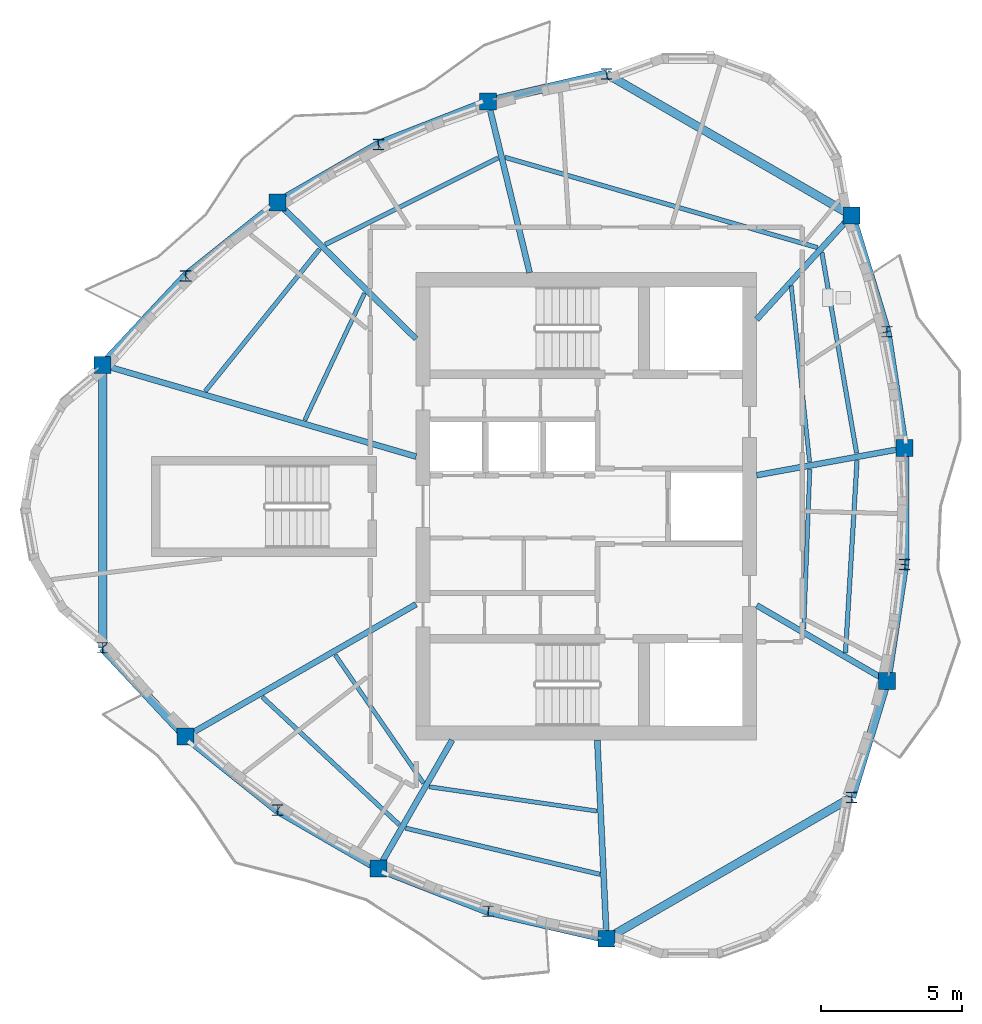
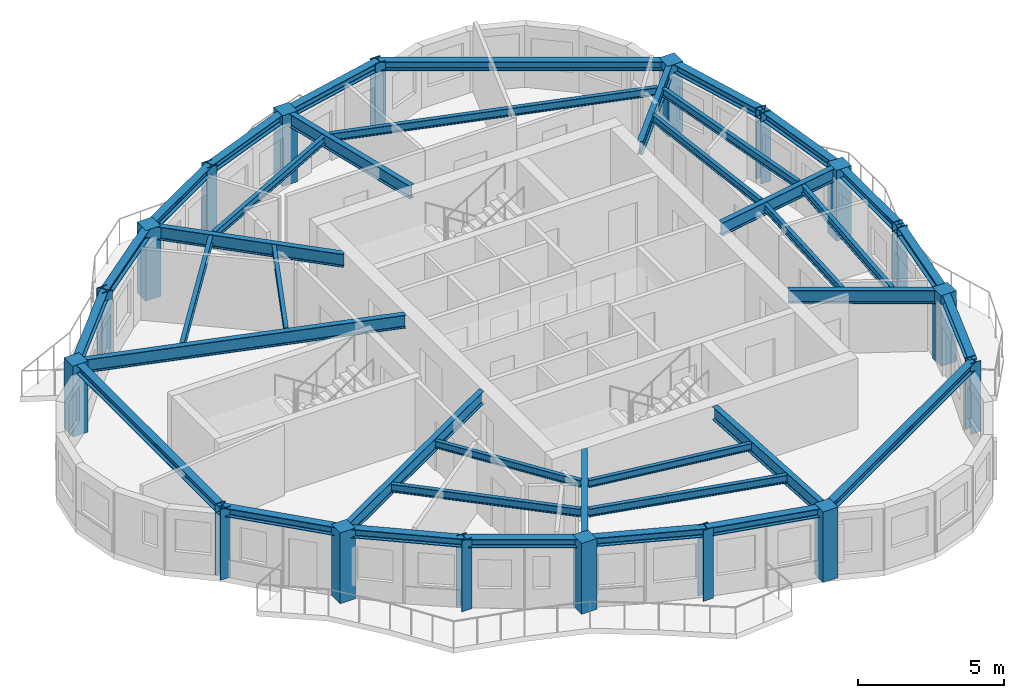
# One storey, part 1 of 11: 39 beams, 18 columns.
"""IFC4 building model written with IfcOpenShell, lengths in metres."""

from ifc_helpers import new_model, si_unit, direction, frame, origin, origin_2d, place, context, subcontext, project, spatial, rectangle, i_section, extrude, source, transform, mapped, material, material_profile, profile_set, type_object, element, save


model = new_model("IFC4")

# Units and contexts
model_context = context("Model", 3, precision=1e-05, world=origin(), true_north=direction((0.0, 1.0)))
body_context = subcontext(model_context, "Body", "Model", "MODEL_VIEW")
ifc_project = project(units=[si_unit("LENGTHUNIT", "METRE"), si_unit("AREAUNIT", "SQUARE_METRE"), si_unit("VOLUMEUNIT", "CUBIC_METRE"), si_unit("PLANEANGLEUNIT", "RADIAN"), si_unit("MASSUNIT", "GRAM", prefix="KILO")], contexts=[model_context])

# Site, building, storey
site_placement = place(None, origin())
site = spatial("IfcSite", under=ifc_project, at=site_placement, CompositionType="ELEMENT")
building_placement = place(site_placement, origin())
building = spatial("IfcBuilding", under=site, at=building_placement, Name="Qafzar Sky-Pleat Residences", CompositionType="ELEMENT")
storey_placement = place(building_placement, frame((0.0, 0.0, 243.60009765625)))
storey = spatial("IfcBuildingStorey", under=building, at=storey_placement, Name="L73", CompositionType="ELEMENT", Elevation=243.60009765625)

# Columns
ifc_material_1 = material(Name="Concrete C50/60", Category="concrete")
ifc_material_profile_1 = material_profile(ifc_material_1, rectangle(XDim=0.60009765625, YDim=0.60009765625, at=origin_2d()), Name="RC 600x600")
ifc_profile_set_1 = profile_set([ifc_material_profile_1], Name="Concrete C50/60")
column_type_1 = type_object("IfcColumnType", Name="COL-RC-600", PredefinedType="COLUMN", material=ifc_profile_set_1)
shared_shape_1 = source(origin(), body_context, "Body", "SweptSolid", [
    extrude(rectangle(XDim=0.60009765625, YDim=0.60009765625, at=origin_2d()), origin(), (0.0, 0.0, 1.0), 2.9599609375),
])
for number, where, z_axis, x_axis, name in (
    (1, (13.1650390625, 31.02294921875, 0.0), (0.0, 0.0, 1.0), (1.0, 0.0, 0.0), "L73 Perimeter Mega Column 1"),
    (2, (16.1171875, 17.8212890625, 0.0), (0.0, 0.0, 1.0), (1.0, 0.0, 0.0), "L73 Perimeter Mega Column 3"),
    (3, (22.9638671875, 13.142578125, 0.0), (0.0, 0.0, 1.0), (1.0, 0.0, 0.0), "L73 Perimeter Mega Column 5"),
    (4, (31.0673828125, 10.64111328125, 0.0), (0.0, 0.0, 1.0), (1.0, 0.0, 0.0), "L73 Perimeter Mega Column 7"),
    (5, (41.0244140625, 19.79833984375, 0.0), (0.0, 0.0, 1.0), (1.0, 0.0, 0.0), "L73 Perimeter Mega Column 9"),
    (6, (41.65283203125, 28.067138671875, 0.0), (0.0, 0.0, 1.0), (1.0, 0.0, 0.0), "L73 Perimeter Mega Column 11"),
    (7, (39.767578125, 36.3359375, 0.0), (0.0, 0.0, 1.0), (1.0, 0.0, 0.0), "L73 Perimeter Mega Column 13"),
    (8, (26.858642578125, 40.380126953125, 0.0), (0.0, 0.0, 1.0), (1.0, 0.0, 0.0), "L73 Perimeter Mega Column 15"),
    (9, (19.38330078125, 36.7900390625, 0.0), (0.0, 0.0, 1.0), (1.0, 0.0, 0.0), "L73 Perimeter Mega Column 17"),
):
    element("IfcColumn", number, at=place(storey_placement, frame(where, z_axis=z_axis, x_axis=x_axis)), inside=storey, type_object=column_type_1, Name=name, PredefinedType="COLUMN", context=body_context, shape_type="MappedRepresentation", body=[
        mapped(shared_shape_1, transform((0.0, 0.0, 0.0), x_axis=(1.0, 0.0, 0.0), y_axis=(0.0, 1.0, 0.0), z_axis=(0.0, 0.0, 1.0), scale=1.0)),
    ])
ifc_material_2 = material(Name="Steel S355", Category="steel")
ifc_material_profile_2 = material_profile(ifc_material_2, i_section(OverallWidth=0.39794921875, OverallDepth=0.386962890625, WebThickness=0.01904296875, FlangeThickness=0.030029296875, FilletRadius=0.014892578125, at=origin_2d()), Name="HD 400x262")
ifc_profile_set_2 = profile_set([ifc_material_profile_2], Name="Steel S355")
column_type_2 = type_object("IfcColumnType", Name="COL-STL-HD262", PredefinedType="PILASTER", material=ifc_profile_set_2)
shared_shape_2 = source(origin(), body_context, "Body", "SweptSolid", [
    extrude(i_section(OverallWidth=0.39794921875, OverallDepth=0.386962890625, WebThickness=0.01904296875, FlangeThickness=0.030029296875, FilletRadius=0.014892578125, at=origin_2d()), origin(), (0.0, 0.0, 1.0), 2.9599609375),
])
for number, where, z_axis, x_axis, name in (
    (10, (13.1650390625, 20.97705078125, 0.0), (0.0, 0.0, 1.0), (1.0, 0.0, 0.0), "L73 Perimeter Mega Column 2"),
    (11, (19.38330078125, 15.2099609375, 0.0), (0.0, 0.0, 1.0), (1.0, 0.0, 0.0), "L73 Perimeter Mega Column 4"),
    (12, (26.858642578125, 11.619873046875, 0.0), (0.0, 0.0, 1.0), (1.0, 0.0, 0.0), "L73 Perimeter Mega Column 6"),
    (13, (39.767578125, 15.6640625, 0.0), (0.0, 0.0, 1.0), (1.0, 0.0, 0.0), "L73 Perimeter Mega Column 8"),
    (14, (41.65283203125, 23.932861328125, 0.0), (0.0, 0.0, 1.0), (1.0, 0.0, 0.0), "L73 Perimeter Mega Column 10"),
    (15, (41.0244140625, 32.20166015625, 0.0), (0.0, 0.0, 1.0), (1.0, 0.0, 0.0), "L73 Perimeter Mega Column 12"),
    (16, (31.0673828125, 41.35888671875, 0.0), (0.0, 0.0, 1.0), (1.0, 0.0, 0.0), "L73 Perimeter Mega Column 14"),
    (17, (22.9638671875, 38.857421875, 0.0), (0.0, 0.0, 1.0), (1.0, 0.0, 0.0), "L73 Perimeter Mega Column 16"),
    (18, (16.1171875, 34.1787109375, 0.0), (0.0, 0.0, 1.0), (1.0, 0.0, 0.0), "L73 Perimeter Mega Column 18"),
):
    element("IfcColumn", number, at=place(storey_placement, frame(where, z_axis=z_axis, x_axis=x_axis)), inside=storey, type_object=column_type_2, Name=name, PredefinedType="PILASTER", context=body_context, shape_type="MappedRepresentation", body=[
        mapped(shared_shape_2, transform((0.0, 0.0, 0.0), x_axis=(1.0, 0.0, 0.0), y_axis=(0.0, 1.0, 0.0), z_axis=(0.0, 0.0, 1.0), scale=1.0)),
    ])

# Beams
ifc_material_profile_3 = material_profile(ifc_material_2, i_section(OverallWidth=0.300048828125, OverallDepth=0.360107421875, WebThickness=0.012451171875, FlangeThickness=0.0224609375, FilletRadius=0.027099609375, at=origin_2d()), Name="HEB 360")
ifc_profile_set_3 = profile_set([ifc_material_profile_3], Name="Steel S355")
beam_type_1 = type_object("IfcBeamType", Name="BM-SPAN-HEB360", PredefinedType="SPANDREL", material=ifc_profile_set_3)
shared_shape_3 = source(origin(), body_context, "Body", "SweptSolid", [
    extrude(i_section(OverallWidth=0.300048828125, OverallDepth=0.360107421875, WebThickness=0.012451171875, FlangeThickness=0.0224609375, FilletRadius=0.027099609375, at=origin_2d()), origin(), (0.0, 0.0, 1.0), 10.0458984375),
])
beam_1_placement = place(storey_placement, frame((13.1650390625, 31.02294921875, 2.77783203125), z_axis=(0.0, -1.0, 0.0), x_axis=(1.0, 0.0, 0.0)))
element("IfcBeam", 19, at=beam_1_placement, inside=storey, type_object=beam_type_1, Name="L73 Perimeter Spandrel Beam 1", PredefinedType="SPANDREL", context=body_context, shape_type="MappedRepresentation", body=[
    mapped(shared_shape_3, transform((0.0, 0.0, 0.0), x_axis=(1.0, 0.0, 0.0), y_axis=(0.0, 1.0, 0.0), z_axis=(0.0, 0.0, 1.0), scale=1.0)),
])
shared_shape_4 = source(origin(), body_context, "Body", "SweptSolid", [
    extrude(i_section(OverallWidth=0.300048828125, OverallDepth=0.360107421875, WebThickness=0.012451171875, FlangeThickness=0.0224609375, FilletRadius=0.027099609375, at=origin_2d()), origin(), (0.0, 0.0, 1.0), 4.3212890625),
])
for number, where, z_axis, x_axis, name in (
    (20, (13.1650390625, 20.97705078125, 2.77783203125), (0.683155184944, -0.730273231937, 0.0), (0.730273231937, 0.683155184944, 0.0), "L73 Perimeter Spandrel Beam 2"),
    (21, (16.1171875, 34.1787109375, 2.77783203125), (-0.683155184944, -0.730273231937, 0.0), (0.730273231937, -0.683155184944, 0.0), "L73 Perimeter Spandrel Beam 18"),
):
    element("IfcBeam", number, at=place(storey_placement, frame(where, z_axis=z_axis, x_axis=x_axis)), inside=storey, type_object=beam_type_1, Name=name, PredefinedType="SPANDREL", context=body_context, shape_type="MappedRepresentation", body=[
        mapped(shared_shape_4, transform((0.0, 0.0, 0.0), x_axis=(1.0, 0.0, 0.0), y_axis=(0.0, 1.0, 0.0), z_axis=(0.0, 0.0, 1.0), scale=1.0)),
    ])
shared_shape_5 = source(origin(), body_context, "Body", "SweptSolid", [
    extrude(i_section(OverallWidth=0.300048828125, OverallDepth=0.360107421875, WebThickness=0.012451171875, FlangeThickness=0.0224609375, FilletRadius=0.027099609375, at=origin_2d()), origin(), (0.0, 0.0, 1.0), 4.181640625),
])
for number, where, z_axis, x_axis, name in (
    (22, (16.1171875, 17.8212890625, 2.77783203125), (0.781051045846, -0.624467183912, 0.0), (0.624467183912, 0.781051045846, 0.0), "L73 Perimeter Spandrel Beam 3"),
    (23, (19.38330078125, 36.7900390625, 2.77783203125), (-0.781051045846, -0.624467183912, 0.0), (0.624467183912, -0.781051045846, 0.0), "L73 Perimeter Spandrel Beam 17"),
):
    element("IfcBeam", number, at=place(storey_placement, frame(where, z_axis=z_axis, x_axis=x_axis)), inside=storey, type_object=beam_type_1, Name=name, PredefinedType="SPANDREL", context=body_context, shape_type="MappedRepresentation", body=[
        mapped(shared_shape_5, transform((0.0, 0.0, 0.0), x_axis=(1.0, 0.0, 0.0), y_axis=(0.0, 1.0, 0.0), z_axis=(0.0, 0.0, 1.0), scale=1.0)),
    ])
shared_shape_6 = source(origin(), body_context, "Body", "SweptSolid", [
    extrude(i_section(OverallWidth=0.300048828125, OverallDepth=0.360107421875, WebThickness=0.012451171875, FlangeThickness=0.0224609375, FilletRadius=0.027099609375, at=origin_2d()), origin(), (0.0, 0.0, 1.0), 4.134521484375),
])
for number, where, z_axis, x_axis, name in (
    (24, (19.38330078125, 15.2099609375, 2.77783203125), (0.866010549094, -0.500025728196, 0.0), (0.500025728196, 0.866010549094, 0.0), "L73 Perimeter Spandrel Beam 4"),
    (25, (22.9638671875, 38.857421875, 2.77783203125), (-0.866010549094, -0.500025728196, 0.0), (0.500025728196, -0.866010549094, 0.0), "L73 Perimeter Spandrel Beam 16"),
):
    element("IfcBeam", number, at=place(storey_placement, frame(where, z_axis=z_axis, x_axis=x_axis)), inside=storey, type_object=beam_type_1, Name=name, PredefinedType="SPANDREL", context=body_context, shape_type="MappedRepresentation", body=[
        mapped(shared_shape_6, transform((0.0, 0.0, 0.0), x_axis=(1.0, 0.0, 0.0), y_axis=(0.0, 1.0, 0.0), z_axis=(0.0, 0.0, 1.0), scale=1.0)),
    ])
shared_shape_7 = source(origin(), body_context, "Body", "SweptSolid", [
    extrude(i_section(OverallWidth=0.300048828125, OverallDepth=0.360107421875, WebThickness=0.012451171875, FlangeThickness=0.0224609375, FilletRadius=0.027099609375, at=origin_2d()), origin(), (0.0, 0.0, 1.0), 4.181884765625),
])
for number, where, z_axis, x_axis, name in (
    (26, (22.9638671875, 13.142578125, 2.77783203125), (0.931351269542, -0.36412197506, 0.0), (0.36412197506, 0.931351269542, 0.0), "L73 Perimeter Spandrel Beam 5"),
    (27, (41.0244140625, 19.79833984375, 2.77783203125), (0.150267100835, 0.988645436143, 0.0), (-0.988645436143, 0.150267100835, 0.0), "L73 Perimeter Spandrel Beam 9"),
    (28, (41.65283203125, 28.067138671875, 2.77783203125), (-0.150267100835, 0.988645436143, 0.0), (-0.988645436143, -0.150267100835, 0.0), "L73 Perimeter Spandrel Beam 11"),
    (29, (26.858642578125, 40.380126953125, 2.77783203125), (-0.931351269542, -0.36412197506, 0.0), (0.36412197506, -0.931351269542, 0.0), "L73 Perimeter Spandrel Beam 15"),
):
    element("IfcBeam", number, at=place(storey_placement, frame(where, z_axis=z_axis, x_axis=x_axis)), inside=storey, type_object=beam_type_1, Name=name, PredefinedType="SPANDREL", context=body_context, shape_type="MappedRepresentation", body=[
        mapped(shared_shape_7, transform((0.0, 0.0, 0.0), x_axis=(1.0, 0.0, 0.0), y_axis=(0.0, 1.0, 0.0), z_axis=(0.0, 0.0, 1.0), scale=1.0)),
    ])
shared_shape_8 = source(origin(), body_context, "Body", "SweptSolid", [
    extrude(i_section(OverallWidth=0.300048828125, OverallDepth=0.360107421875, WebThickness=0.012451171875, FlangeThickness=0.0224609375, FilletRadius=0.027099609375, at=origin_2d()), origin(), (0.0, 0.0, 1.0), 4.321044921875),
])
for number, where, z_axis, x_axis, name in (
    (30, (26.858642578125, 11.619873046875, 2.77783203125), (0.974008896714, -0.226509755028, 0.0), (0.226509755028, 0.974008896714, 0.0), "L73 Perimeter Spandrel Beam 6"),
    (31, (39.767578125, 15.6640625, 2.77783203125), (0.290860334904, 0.956765522779, 0.0), (-0.956765522779, 0.290860334904, 0.0), "L73 Perimeter Spandrel Beam 8"),
    (32, (41.0244140625, 32.20166015625, 2.77783203125), (-0.290860334904, 0.956765522779, 0.0), (-0.956765522779, -0.290860334904, 0.0), "L73 Perimeter Spandrel Beam 12"),
    (33, (31.0673828125, 41.35888671875, 2.77783203125), (-0.974008896714, -0.226509755028, 0.0), (0.226509755028, -0.974008896714, 0.0), "L73 Perimeter Spandrel Beam 14"),
):
    element("IfcBeam", number, at=place(storey_placement, frame(where, z_axis=z_axis, x_axis=x_axis)), inside=storey, type_object=beam_type_1, Name=name, PredefinedType="SPANDREL", context=body_context, shape_type="MappedRepresentation", body=[
        mapped(shared_shape_8, transform((0.0, 0.0, 0.0), x_axis=(1.0, 0.0, 0.0), y_axis=(0.0, 1.0, 0.0), z_axis=(0.0, 0.0, 1.0), scale=1.0)),
    ])
shared_shape_9 = source(origin(), body_context, "Body", "SweptSolid", [
    extrude(i_section(OverallWidth=0.300048828125, OverallDepth=0.360107421875, WebThickness=0.012451171875, FlangeThickness=0.0224609375, FilletRadius=0.027099609375, at=origin_2d()), origin(), (0.0, 0.0, 1.0), 10.046142578125),
])
for number, where, z_axis, x_axis, name in (
    (34, (31.0673828125, 10.64111328125, 2.77783203125), (0.866030183273, 0.499991721592, 0.0), (-0.499991721592, 0.866030183273, 0.0), "L73 Perimeter Spandrel Beam 7"),
    (35, (39.767578125, 36.3359375, 2.77783203125), (-0.866030183273, 0.499991721592, 0.0), (-0.499991721592, -0.866030183273, 0.0), "L73 Perimeter Spandrel Beam 13"),
):
    element("IfcBeam", number, at=place(storey_placement, frame(where, z_axis=z_axis, x_axis=x_axis)), inside=storey, type_object=beam_type_1, Name=name, PredefinedType="SPANDREL", context=body_context, shape_type="MappedRepresentation", body=[
        mapped(shared_shape_9, transform((0.0, 0.0, 0.0), x_axis=(1.0, 0.0, 0.0), y_axis=(0.0, 1.0, 0.0), z_axis=(0.0, 0.0, 1.0), scale=1.0)),
    ])
shared_shape_10 = source(origin(), body_context, "Body", "SweptSolid", [
    extrude(i_section(OverallWidth=0.300048828125, OverallDepth=0.360107421875, WebThickness=0.012451171875, FlangeThickness=0.0224609375, FilletRadius=0.027099609375, at=origin_2d()), origin(), (0.0, 0.0, 1.0), 4.13427734375),
])
beam_2_placement = place(storey_placement, frame((41.65283203125, 23.932861328125, 2.77783203125), z_axis=(0.0, 1.0, 0.0), x_axis=(-1.0, 0.0, 0.0)))
element("IfcBeam", 36, at=beam_2_placement, inside=storey, type_object=beam_type_1, Name="L73 Perimeter Spandrel Beam 10", PredefinedType="SPANDREL", context=body_context, shape_type="MappedRepresentation", body=[
    mapped(shared_shape_10, transform((0.0, 0.0, 0.0), x_axis=(1.0, 0.0, 0.0), y_axis=(0.0, 1.0, 0.0), z_axis=(0.0, 0.0, 1.0), scale=1.0)),
])
ifc_material_profile_4 = material_profile(ifc_material_2, i_section(OverallWidth=0.2099609375, OverallDepth=0.550048828125, WebThickness=0.010986328125, FlangeThickness=0.01708984375, FilletRadius=0.02392578125, at=origin_2d()), Name="IPE 550")
ifc_profile_set_4 = profile_set([ifc_material_profile_4], Name="Steel S355")
beam_type_2 = type_object("IfcBeamType", Name="BM-SEC-IPE550", PredefinedType="BEAM", material=ifc_profile_set_4)
shared_shape_11 = source(origin(), body_context, "Body", "SweptSolid", [
    extrude(i_section(OverallWidth=0.2099609375, OverallDepth=0.550048828125, WebThickness=0.010986328125, FlangeThickness=0.01708984375, FilletRadius=0.02392578125, at=origin_2d()), origin(), (0.0, 0.0, 1.0), 11.600830078125),
])
beam_3_placement = place(storey_placement, frame((13.1650390625, 31.02294921875, 2.682861328125), z_axis=(0.95983932818, -0.280550287969, 0.0), x_axis=(0.280550287969, 0.95983932818, 0.0)))
element("IfcBeam", 37, at=beam_3_placement, inside=storey, type_object=beam_type_2, Name="L73 Radial Floor Girder 1", PredefinedType="BEAM", context=body_context, shape_type="MappedRepresentation", body=[
    mapped(shared_shape_11, transform((0.0, 0.0, 0.0), x_axis=(1.0, 0.0, 0.0), y_axis=(0.0, 1.0, 0.0), z_axis=(0.0, 0.0, 1.0), scale=1.0)),
])
shared_shape_12 = source(origin(), body_context, "Body", "SweptSolid", [
    extrude(i_section(OverallWidth=0.2099609375, OverallDepth=0.550048828125, WebThickness=0.010986328125, FlangeThickness=0.01708984375, FilletRadius=0.02392578125, at=origin_2d()), origin(), (0.0, 0.0, 1.0), 9.437744140625),
])
beam_4_placement = place(storey_placement, frame((16.1171875, 17.8212890625, 2.682861328125), z_axis=(0.867043487682, 0.498232466293, 0.0), x_axis=(-0.498232466293, 0.867043487682, 0.0)))
element("IfcBeam", 38, at=beam_4_placement, inside=storey, type_object=beam_type_2, Name="L73 Radial Floor Girder 3", PredefinedType="BEAM", context=body_context, shape_type="MappedRepresentation", body=[
    mapped(shared_shape_12, transform((0.0, 0.0, 0.0), x_axis=(1.0, 0.0, 0.0), y_axis=(0.0, 1.0, 0.0), z_axis=(0.0, 0.0, 1.0), scale=1.0)),
])
shared_shape_13 = source(origin(), body_context, "Body", "SweptSolid", [
    extrude(i_section(OverallWidth=0.2099609375, OverallDepth=0.550048828125, WebThickness=0.010986328125, FlangeThickness=0.01708984375, FilletRadius=0.02392578125, at=origin_2d()), origin(), (0.0, 0.0, 1.0), 5.255859375),
])
beam_5_placement = place(storey_placement, frame((22.9638671875, 13.142578125, 2.682861328125), z_axis=(0.498103653518, 0.867117495125, 0.0), x_axis=(-0.867117495125, 0.498103653518, 0.0)))
element("IfcBeam", 39, at=beam_5_placement, inside=storey, type_object=beam_type_2, Name="L73 Radial Floor Girder 5", PredefinedType="BEAM", context=body_context, shape_type="MappedRepresentation", body=[
    mapped(shared_shape_13, transform((0.0, 0.0, 0.0), x_axis=(1.0, 0.0, 0.0), y_axis=(0.0, 1.0, 0.0), z_axis=(0.0, 0.0, 1.0), scale=1.0)),
])
shared_shape_14 = source(origin(), body_context, "Body", "SweptSolid", [
    extrude(i_section(OverallWidth=0.2099609375, OverallDepth=0.550048828125, WebThickness=0.010986328125, FlangeThickness=0.01708984375, FilletRadius=0.02392578125, at=origin_2d()), origin(), (0.0, 0.0, 1.0), 7.06640625),
])
beam_6_placement = place(storey_placement, frame((31.0673828125, 10.64111328125, 2.682861328125), z_axis=(-0.046640985647, 0.998911717049, 0.0), x_axis=(-0.998911717049, -0.046640985647, 0.0)))
element("IfcBeam", 40, at=beam_6_placement, inside=storey, type_object=beam_type_2, Name="L73 Radial Floor Girder 7", PredefinedType="BEAM", context=body_context, shape_type="MappedRepresentation", body=[
    mapped(shared_shape_14, transform((0.0, 0.0, 0.0), x_axis=(1.0, 0.0, 0.0), y_axis=(0.0, 1.0, 0.0), z_axis=(0.0, 0.0, 1.0), scale=1.0)),
])
shared_shape_15 = source(origin(), body_context, "Body", "SweptSolid", [
    extrude(i_section(OverallWidth=0.2099609375, OverallDepth=0.550048828125, WebThickness=0.010986328125, FlangeThickness=0.01708984375, FilletRadius=0.02392578125, at=origin_2d()), origin(), (0.0, 0.0, 1.0), 5.348388671875),
])
beam_7_placement = place(storey_placement, frame((41.0244140625, 19.79833984375, 2.682861328125), z_axis=(-0.864661673227, 0.502354646493, 0.0), x_axis=(-0.502354646493, -0.864661673227, 0.0)))
element("IfcBeam", 41, at=beam_7_placement, inside=storey, type_object=beam_type_2, Name="L73 Radial Floor Girder 9", PredefinedType="BEAM", context=body_context, shape_type="MappedRepresentation", body=[
    mapped(shared_shape_15, transform((0.0, 0.0, 0.0), x_axis=(1.0, 0.0, 0.0), y_axis=(0.0, 1.0, 0.0), z_axis=(0.0, 0.0, 1.0), scale=1.0)),
])
shared_shape_16 = source(origin(), body_context, "Body", "SweptSolid", [
    extrude(i_section(OverallWidth=0.2099609375, OverallDepth=0.550048828125, WebThickness=0.010986328125, FlangeThickness=0.01708984375, FilletRadius=0.02392578125, at=origin_2d()), origin(), (0.0, 0.0, 1.0), 5.340087890625),
])
beam_8_placement = place(storey_placement, frame((41.65283203125, 28.067138671875, 2.682861328125), z_axis=(-0.983684314123, -0.179903224395, 0.0), x_axis=(0.179903224395, -0.983684314123, 0.0)))
element("IfcBeam", 42, at=beam_8_placement, inside=storey, type_object=beam_type_2, Name="L73 Radial Floor Girder 11", PredefinedType="BEAM", context=body_context, shape_type="MappedRepresentation", body=[
    mapped(shared_shape_16, transform((0.0, 0.0, 0.0), x_axis=(1.0, 0.0, 0.0), y_axis=(0.0, 1.0, 0.0), z_axis=(0.0, 0.0, 1.0), scale=1.0)),
])
shared_shape_17 = source(origin(), body_context, "Body", "SweptSolid", [
    extrude(i_section(OverallWidth=0.2099609375, OverallDepth=0.550048828125, WebThickness=0.010986328125, FlangeThickness=0.01708984375, FilletRadius=0.02392578125, at=origin_2d()), origin(), (0.0, 0.0, 1.0), 5.0),
])
beam_9_placement = place(storey_placement, frame((39.767578125, 36.3359375, 2.682861328125), z_axis=(-0.673532683281, -0.73915744233, 0.0), x_axis=(0.73915744233, -0.673532683281, 0.0)))
element("IfcBeam", 43, at=beam_9_placement, inside=storey, type_object=beam_type_2, Name="L73 Radial Floor Girder 13", PredefinedType="BEAM", context=body_context, shape_type="MappedRepresentation", body=[
    mapped(shared_shape_17, transform((0.0, 0.0, 0.0), x_axis=(1.0, 0.0, 0.0), y_axis=(0.0, 1.0, 0.0), z_axis=(0.0, 0.0, 1.0), scale=1.0)),
])
shared_shape_18 = source(origin(), body_context, "Body", "SweptSolid", [
    extrude(i_section(OverallWidth=0.2099609375, OverallDepth=0.550048828125, WebThickness=0.010986328125, FlangeThickness=0.01708984375, FilletRadius=0.02392578125, at=origin_2d()), origin(), (0.0, 0.0, 1.0), 6.256591796875),
])
beam_10_placement = place(storey_placement, frame((26.858642578125, 40.380126953125, 2.682861328125), z_axis=(0.235919421211, -0.971772620882, 0.0), x_axis=(0.971772620882, 0.235919421211, 0.0)))
element("IfcBeam", 44, at=beam_10_placement, inside=storey, type_object=beam_type_2, Name="L73 Radial Floor Girder 15", PredefinedType="BEAM", context=body_context, shape_type="MappedRepresentation", body=[
    mapped(shared_shape_18, transform((0.0, 0.0, 0.0), x_axis=(1.0, 0.0, 0.0), y_axis=(0.0, 1.0, 0.0), z_axis=(0.0, 0.0, 1.0), scale=1.0)),
])
shared_shape_19 = source(origin(), body_context, "Body", "SweptSolid", [
    extrude(i_section(OverallWidth=0.2099609375, OverallDepth=0.550048828125, WebThickness=0.010986328125, FlangeThickness=0.01708984375, FilletRadius=0.02392578125, at=origin_2d()), origin(), (0.0, 0.0, 1.0), 6.8974609375),
])
beam_11_placement = place(storey_placement, frame((19.38330078125, 36.7900390625, 2.682861328125), z_axis=(0.712835198254, -0.701331576453, 0.0), x_axis=(0.701331576453, 0.712835198254, 0.0)))
element("IfcBeam", 45, at=beam_11_placement, inside=storey, type_object=beam_type_2, Name="L73 Radial Floor Girder 17", PredefinedType="BEAM", context=body_context, shape_type="MappedRepresentation", body=[
    mapped(shared_shape_19, transform((0.0, 0.0, 0.0), x_axis=(1.0, 0.0, 0.0), y_axis=(0.0, 1.0, 0.0), z_axis=(0.0, 0.0, 1.0), scale=1.0)),
])
ifc_material_profile_5 = material_profile(ifc_material_2, i_section(OverallWidth=0.159912109375, OverallDepth=0.330078125, WebThickness=0.007568359375, FlangeThickness=0.011474609375, FilletRadius=0.01806640625, at=origin_2d()), Name="IPE 330")
ifc_profile_set_5 = profile_set([ifc_material_profile_5], Name="Steel S355")
beam_type_3 = type_object("IfcBeamType", Name="BM-JST-IPE330", PredefinedType="JOIST", material=ifc_profile_set_5)
shared_shape_20 = source(origin(), body_context, "Body", "SweptSolid", [
    extrude(i_section(OverallWidth=0.159912109375, OverallDepth=0.330078125, WebThickness=0.007568359375, FlangeThickness=0.011474609375, FilletRadius=0.01806640625, at=origin_2d()), origin(), (0.0, 0.0, 1.0), 6.6572265625),
])
beam_12_placement = place(storey_placement, frame((18.83447265625, 19.23388671875, 2.79296875), z_axis=(0.73128571431, -0.68207126024, 0.0), x_axis=(0.68207126024, 0.73128571431, 0.0)))
element("IfcBeam", 46, at=beam_12_placement, inside=storey, type_object=beam_type_3, Name="L73 Outer Secondary Floor Joist 2", PredefinedType="JOIST", context=body_context, shape_type="MappedRepresentation", body=[
    mapped(shared_shape_20, transform((0.0, 0.0, 0.0), x_axis=(1.0, 0.0, 0.0), y_axis=(0.0, 1.0, 0.0), z_axis=(0.0, 0.0, 1.0), scale=1.0)),
])
shared_shape_21 = source(origin(), body_context, "Body", "SweptSolid", [
    extrude(i_section(OverallWidth=0.159912109375, OverallDepth=0.330078125, WebThickness=0.007568359375, FlangeThickness=0.011474609375, FilletRadius=0.01806640625, at=origin_2d()), origin(), (0.0, 0.0, 1.0), 7.08935546875),
])
beam_13_placement = place(storey_placement, frame((23.93310546875, 14.56982421875, 2.79296875), z_axis=(0.972919902613, -0.23114251686, 0.0), x_axis=(0.23114251686, 0.972919902613, 0.0)))
element("IfcBeam", 47, at=beam_13_placement, inside=storey, type_object=beam_type_3, Name="L73 Outer Secondary Floor Joist 3", PredefinedType="JOIST", context=body_context, shape_type="MappedRepresentation", body=[
    mapped(shared_shape_21, transform((0.0, 0.0, 0.0), x_axis=(1.0, 0.0, 0.0), y_axis=(0.0, 1.0, 0.0), z_axis=(0.0, 0.0, 1.0), scale=1.0)),
])
shared_shape_22 = source(origin(), body_context, "Body", "SweptSolid", [
    extrude(i_section(OverallWidth=0.159912109375, OverallDepth=0.330078125, WebThickness=0.007568359375, FlangeThickness=0.011474609375, FilletRadius=0.01806640625, at=origin_2d()), origin(), (0.0, 0.0, 1.0), 6.844482421875),
])
beam_14_placement = place(storey_placement, frame((39.552734375, 20.79296875, 2.79296875), z_axis=(0.060068579233, 0.998194252532, 0.0), x_axis=(-0.998194252532, 0.060068579233, 0.0)))
element("IfcBeam", 48, at=beam_14_placement, inside=storey, type_object=beam_type_3, Name="L73 Outer Secondary Floor Joist 5", PredefinedType="JOIST", context=body_context, shape_type="MappedRepresentation", body=[
    mapped(shared_shape_22, transform((0.0, 0.0, 0.0), x_axis=(1.0, 0.0, 0.0), y_axis=(0.0, 1.0, 0.0), z_axis=(0.0, 0.0, 1.0), scale=1.0)),
])
shared_shape_23 = source(origin(), body_context, "Body", "SweptSolid", [
    extrude(i_section(OverallWidth=0.159912109375, OverallDepth=0.330078125, WebThickness=0.007568359375, FlangeThickness=0.011474609375, FilletRadius=0.01806640625, at=origin_2d()), origin(), (0.0, 0.0, 1.0), 7.23388671875),
])
beam_15_placement = place(storey_placement, frame((39.94873046875, 27.892822265625, 2.79296875), z_axis=(-0.170842643225, 0.985298326019, 0.0), x_axis=(-0.985298326019, -0.170842643225, 0.0)))
element("IfcBeam", 49, at=beam_15_placement, inside=storey, type_object=beam_type_3, Name="L73 Outer Secondary Floor Joist 6", PredefinedType="JOIST", context=body_context, shape_type="MappedRepresentation", body=[
    mapped(shared_shape_23, transform((0.0, 0.0, 0.0), x_axis=(1.0, 0.0, 0.0), y_axis=(0.0, 1.0, 0.0), z_axis=(0.0, 0.0, 1.0), scale=1.0)),
])
shared_shape_24 = source(origin(), body_context, "Body", "SweptSolid", [
    extrude(i_section(OverallWidth=0.159912109375, OverallDepth=0.330078125, WebThickness=0.007568359375, FlangeThickness=0.011474609375, FilletRadius=0.01806640625, at=origin_2d()), origin(), (0.0, 0.0, 1.0), 11.553466796875),
])
beam_16_placement = place(storey_placement, frame((38.560302734375, 35.19091796875, 2.79296875), z_axis=(-0.960720067454, 0.277519282198, 0.0), x_axis=(-0.277519282198, -0.960720067454, 0.0)))
element("IfcBeam", 50, at=beam_16_placement, inside=storey, type_object=beam_type_3, Name="L73 Outer Secondary Floor Joist 7", PredefinedType="JOIST", context=body_context, shape_type="MappedRepresentation", body=[
    mapped(shared_shape_24, transform((0.0, 0.0, 0.0), x_axis=(1.0, 0.0, 0.0), y_axis=(0.0, 1.0, 0.0), z_axis=(0.0, 0.0, 1.0), scale=1.0)),
])
shared_shape_25 = source(origin(), body_context, "Body", "SweptSolid", [
    extrude(i_section(OverallWidth=0.159912109375, OverallDepth=0.330078125, WebThickness=0.007568359375, FlangeThickness=0.011474609375, FilletRadius=0.01806640625, at=origin_2d()), origin(), (0.0, 0.0, 1.0), 6.85888671875),
])
beam_17_placement = place(storey_placement, frame((27.210205078125, 38.3740234375, 2.79296875), z_axis=(-0.894127999257, -0.447811479246, 0.0), x_axis=(0.447811479246, -0.894127999257, 0.0)))
element("IfcBeam", 51, at=beam_17_placement, inside=storey, type_object=beam_type_3, Name="L73 Outer Secondary Floor Joist 8", PredefinedType="JOIST", context=body_context, shape_type="MappedRepresentation", body=[
    mapped(shared_shape_25, transform((0.0, 0.0, 0.0), x_axis=(1.0, 0.0, 0.0), y_axis=(0.0, 1.0, 0.0), z_axis=(0.0, 0.0, 1.0), scale=1.0)),
])
shared_shape_26 = source(origin(), body_context, "Body", "SweptSolid", [
    extrude(i_section(OverallWidth=0.159912109375, OverallDepth=0.330078125, WebThickness=0.007568359375, FlangeThickness=0.011474609375, FilletRadius=0.01806640625, at=origin_2d()), origin(), (0.0, 0.0, 1.0), 6.4794921875),
])
beam_18_placement = place(storey_placement, frame((20.8720703125, 35.136962890625, 2.79296875), z_axis=(-0.626490042793, -0.779429423541, 0.0), x_axis=(0.779429423541, -0.626490042793, 0.0)))
element("IfcBeam", 52, at=beam_18_placement, inside=storey, type_object=beam_type_3, Name="L73 Outer Secondary Floor Joist 9", PredefinedType="JOIST", context=body_context, shape_type="MappedRepresentation", body=[
    mapped(shared_shape_26, transform((0.0, 0.0, 0.0), x_axis=(1.0, 0.0, 0.0), y_axis=(0.0, 1.0, 0.0), z_axis=(0.0, 0.0, 1.0), scale=1.0)),
])
ifc_material_profile_6 = material_profile(ifc_material_2, i_section(OverallWidth=0.14990234375, OverallDepth=0.300048828125, WebThickness=0.007080078125, FlangeThickness=0.0107421875, FilletRadius=0.014892578125, at=origin_2d()), Name="IPE 300")
ifc_profile_set_6 = profile_set([ifc_material_profile_6], Name="Steel S355")
beam_type_4 = type_object("IfcBeamType", Name="BM-JST-IPE300", PredefinedType="JOIST", material=ifc_profile_set_6)
shared_shape_27 = source(origin(), body_context, "Body", "SweptSolid", [
    extrude(i_section(OverallWidth=0.14990234375, OverallDepth=0.300048828125, WebThickness=0.007080078125, FlangeThickness=0.0107421875, FilletRadius=0.014892578125, at=origin_2d()), origin(), (0.0, 0.0, 1.0), 5.52294921875),
])
beam_19_placement = place(storey_placement, frame((21.4306640625, 20.719482421875, 2.807861328125), z_axis=(0.567144010632, -0.823618644279, 0.0), x_axis=(0.823618644279, 0.567144010632, 0.0)))
element("IfcBeam", 53, at=beam_19_placement, inside=storey, type_object=beam_type_4, Name="L73 Inner Secondary Floor Joist 2", PredefinedType="JOIST", context=body_context, shape_type="MappedRepresentation", body=[
    mapped(shared_shape_27, transform((0.0, 0.0, 0.0), x_axis=(1.0, 0.0, 0.0), y_axis=(0.0, 1.0, 0.0), z_axis=(0.0, 0.0, 1.0), scale=1.0)),
])
shared_shape_28 = source(origin(), body_context, "Body", "SweptSolid", [
    extrude(i_section(OverallWidth=0.14990234375, OverallDepth=0.300048828125, WebThickness=0.007080078125, FlangeThickness=0.0107421875, FilletRadius=0.014892578125, at=origin_2d()), origin(), (0.0, 0.0, 1.0), 6.011962890625),
])
beam_20_placement = place(storey_placement, frame((24.77294921875, 16.0400390625, 2.807861328125), z_axis=(0.989666529432, -0.14338814638, 0.0), x_axis=(0.14338814638, 0.989666529432, 0.0)))
element("IfcBeam", 54, at=beam_20_placement, inside=storey, type_object=beam_type_4, Name="L73 Inner Secondary Floor Joist 3", PredefinedType="JOIST", context=body_context, shape_type="MappedRepresentation", body=[
    mapped(shared_shape_28, transform((0.0, 0.0, 0.0), x_axis=(1.0, 0.0, 0.0), y_axis=(0.0, 1.0, 0.0), z_axis=(0.0, 0.0, 1.0), scale=1.0)),
])
shared_shape_29 = source(origin(), body_context, "Body", "SweptSolid", [
    extrude(i_section(OverallWidth=0.14990234375, OverallDepth=0.300048828125, WebThickness=0.007080078125, FlangeThickness=0.0107421875, FilletRadius=0.014892578125, at=origin_2d()), origin(), (0.0, 0.0, 1.0), 5.668701171875),
])
beam_21_placement = place(storey_placement, frame((38.06982421875, 21.65283203125, 2.807861328125), z_axis=(0.038115546273, 0.999273338548, 0.0), x_axis=(-0.999273338548, 0.038115546273, 0.0)))
element("IfcBeam", 55, at=beam_21_placement, inside=storey, type_object=beam_type_4, Name="L73 Inner Secondary Floor Joist 5", PredefinedType="JOIST", context=body_context, shape_type="MappedRepresentation", body=[
    mapped(shared_shape_29, transform((0.0, 0.0, 0.0), x_axis=(1.0, 0.0, 0.0), y_axis=(0.0, 1.0, 0.0), z_axis=(0.0, 0.0, 1.0), scale=1.0)),
])
shared_shape_30 = source(origin(), body_context, "Body", "SweptSolid", [
    extrude(i_section(OverallWidth=0.14990234375, OverallDepth=0.300048828125, WebThickness=0.007080078125, FlangeThickness=0.0107421875, FilletRadius=0.014892578125, at=origin_2d()), origin(), (0.0, 0.0, 1.0), 6.283203125),
])
beam_22_placement = place(storey_placement, frame((38.277099609375, 27.586669921875, 2.807861328125), z_axis=(-0.103588466686, 0.994620243897, 0.0), x_axis=(-0.994620243897, -0.103588466686, 0.0)))
element("IfcBeam", 56, at=beam_22_placement, inside=storey, type_object=beam_type_4, Name="L73 Inner Secondary Floor Joist 6", PredefinedType="JOIST", context=body_context, shape_type="MappedRepresentation", body=[
    mapped(shared_shape_30, transform((0.0, 0.0, 0.0), x_axis=(1.0, 0.0, 0.0), y_axis=(0.0, 1.0, 0.0), z_axis=(0.0, 0.0, 1.0), scale=1.0)),
])
shared_shape_31 = source(origin(), body_context, "Body", "SweptSolid", [
    extrude(i_section(OverallWidth=0.14990234375, OverallDepth=0.300048828125, WebThickness=0.007080078125, FlangeThickness=0.0107421875, FilletRadius=0.014892578125, at=origin_2d()), origin(), (0.0, 0.0, 1.0), 4.98486328125),
])
beam_23_placement = place(storey_placement, frame((22.472412109375, 33.572021484375, 2.807861328125), z_axis=(-0.425990431964, -0.904727667243, 0.0), x_axis=(0.904727667243, -0.425990431964, 0.0)))
element("IfcBeam", 57, at=beam_23_placement, inside=storey, type_object=beam_type_4, Name="L73 Inner Secondary Floor Joist 9", PredefinedType="JOIST", context=body_context, shape_type="MappedRepresentation", body=[
    mapped(shared_shape_31, transform((0.0, 0.0, 0.0), x_axis=(1.0, 0.0, 0.0), y_axis=(0.0, 1.0, 0.0), z_axis=(0.0, 0.0, 1.0), scale=1.0)),
])

save(model, "model.ifc")
